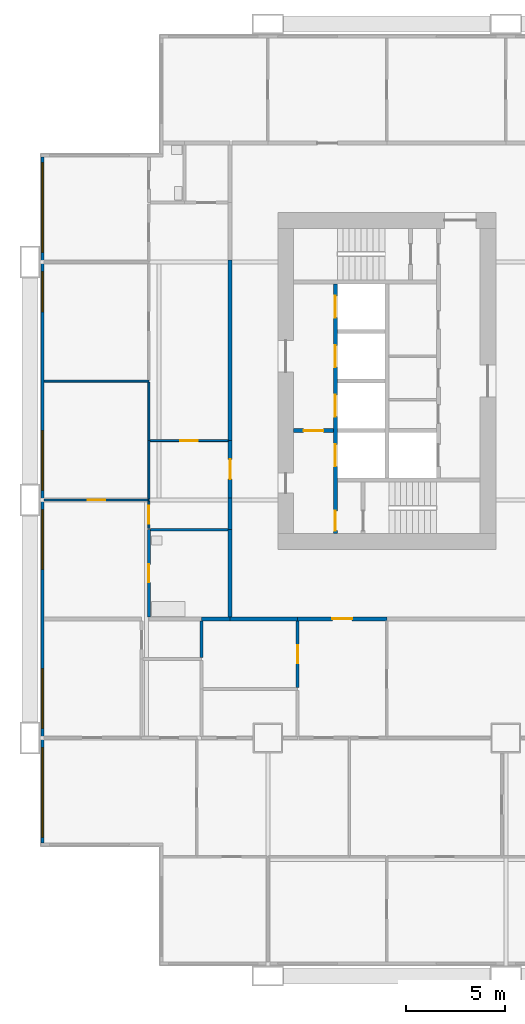
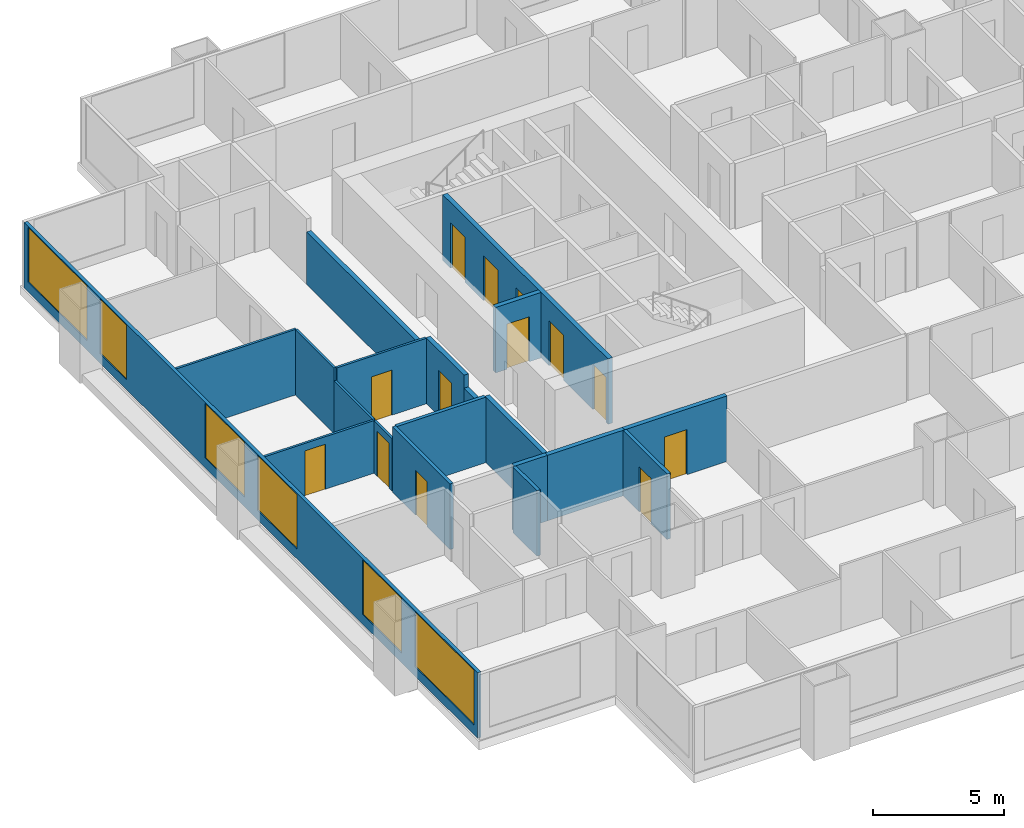
# One storey, part 3 of 14: 20 walls, 13 doors, 6 windows, 19 openings.
"""IFC4 building model written with IfcOpenShell, lengths in metres."""

from ifc_helpers import new_model, si_unit, direction, frame, frame_2d, origin, place, context, subcontext, project, spatial, rectangle, extrude, material, layer, layer_set, type_object, element, fill, save


model = new_model("IFC4")

# Units and contexts
model_context = context("Model", 3, precision=1e-05, world=origin(), true_north=direction((0.0, 1.0)))
body_context = subcontext(model_context, "Body", "Model", "MODEL_VIEW")
ifc_project = project(units=[si_unit("LENGTHUNIT", "METRE"), si_unit("AREAUNIT", "SQUARE_METRE"), si_unit("VOLUMEUNIT", "CUBIC_METRE"), si_unit("PLANEANGLEUNIT", "RADIAN"), si_unit("MASSUNIT", "GRAM", prefix="KILO")], contexts=[model_context])

# Site, building, storey
site_placement = place(None, origin())
site = spatial("IfcSite", under=ifc_project, at=site_placement, CompositionType="ELEMENT")
building_placement = place(site_placement, origin())
building = spatial("IfcBuilding", under=site, at=building_placement, Name="Kitamizu Gate Tower and Museum", CompositionType="ELEMENT")
storey_placement = place(building_placement, frame((0.0, 0.0, 61.050048828125)))
storey = spatial("IfcBuildingStorey", under=building, at=storey_placement, Name="L14", CompositionType="ELEMENT", Elevation=61.050048828125)

# Wall, opening, door
ifc_material_1 = material(Name="Gypsum board on galvanised stud")
ifc_layer_1 = layer(ifc_material_1, 0.10009765625)
ifc_layer_set_1 = layer_set([ifc_layer_1], Name="Gypsum board on galvanised stud")
wall_type_1 = type_object("IfcWallType", Name="Partition 100 NOT RATED", PredefinedType="PARTITIONING", material=ifc_layer_set_1)
wall_1_placement = place(storey_placement, frame((6.0, 24.0, 0.0), z_axis=(0.0, 0.0, 1.0), x_axis=(-1.0, 0.0, 0.0)))
wall_1 = element("IfcWall", 1, at=wall_1_placement, inside=storey, type_object=wall_type_1, Name="Partition L14-128", PredefinedType="PARTITIONING", context=body_context, shape_type="SweptSolid", body=[
    extrude(rectangle(XDim=5.280029296875, YDim=0.10009765625, at=frame_2d((2.64013671875, 0.0))), origin(), (0.0, 0.0, 1.0), 2.449951171875),
])
opening_1_placement = place(wall_1_placement, frame((2.18994140625, 0.0, 0.0)))
opening_1 = element("IfcOpeningElement", 2, at=opening_1_placement, cuts=wall_1, Name="Opening L14-052", PredefinedType="OPENING", context=body_context, shape_type="SweptSolid", body=[
    extrude(rectangle(XDim=0.89990234375, YDim=2.10009765625, at=frame_2d((0.449951171875, 1.050048828125))), frame((0.0, 0.06005859375, 0.0), z_axis=(0.0, -1.0, 0.0), x_axis=(1.0, 0.0, 0.0)), (0.0, 0.0, 1.0), 0.1201171875),
])
ifc_material_2 = material(Name="Timber door set", Category="wood")
door_type_1 = type_object("IfcDoorType", Name="Room door 900", OperationType="NOTDEFINED", PredefinedType="DOOR", material=ifc_material_2)
door_1_placement = place(opening_1_placement, origin())
door_1 = element("IfcDoor", 3, at=door_1_placement, inside=storey, type_object=door_type_1, Name="Door L14-052", OperationType="SINGLE_SWING_RIGHT", OverallHeight=2.10009765625, OverallWidth=0.89990234375, PredefinedType="DOOR", context=body_context, shape_type="SweptSolid", body=[
    extrude(rectangle(XDim=0.89990234375, YDim=2.10009765625, at=frame_2d((0.449951171875, 1.050048828125))), frame((0.0, 0.02490234375, 0.0), z_axis=(0.0, -1.0, 0.0), x_axis=(1.0, 0.0, 0.0)), (0.0, 0.0, 1.0), 0.050048828125),
])
fill(opening_1, door_1)

wall_2_placement = place(storey_placement, frame((6.0, 22.574951171875, 0.0), z_axis=(0.0, 0.0, 1.0), x_axis=(0.0, 1.0, 0.0)))
wall_2 = element("IfcWall", 4, at=wall_2_placement, inside=storey, type_object=wall_type_1, Name="Partition L14-130", PredefinedType="PARTITIONING", context=body_context, shape_type="SweptSolid", body=[
    extrude(rectangle(XDim=1.375, YDim=0.10009765625, at=frame_2d((0.6875, 0.0))), origin(), (0.0, 0.0, 1.0), 2.449951171875),
])
opening_2_placement = place(wall_2_placement, frame((0.237548828125, 0.0, 0.0)))
opening_2 = element("IfcOpeningElement", 5, at=opening_2_placement, cuts=wall_2, Name="Opening L14-048", PredefinedType="OPENING", context=body_context, shape_type="SweptSolid", body=[
    extrude(rectangle(XDim=0.89990234375, YDim=2.10009765625, at=frame_2d((0.449951171875, 1.050048828125))), frame((0.0, 0.06005859375, 0.0), z_axis=(0.0, -1.0, 0.0), x_axis=(1.0, 0.0, 0.0)), (0.0, 0.0, 1.0), 0.1201171875),
])
door_2_placement = place(opening_2_placement, origin())
door_2 = element("IfcDoor", 6, at=door_2_placement, inside=storey, type_object=door_type_1, Name="Door L14-048", OperationType="SINGLE_SWING_LEFT", OverallHeight=2.10009765625, OverallWidth=0.89990234375, PredefinedType="DOOR", context=body_context, shape_type="SweptSolid", body=[
    extrude(rectangle(XDim=0.89990234375, YDim=2.10009765625, at=frame_2d((0.449951171875, 1.050048828125))), frame((0.0, 0.02490234375, 0.0), z_axis=(0.0, -1.0, 0.0), x_axis=(1.0, 0.0, 0.0)), (0.0, 0.0, 1.0), 0.050048828125),
])
fill(opening_2, door_2)

# Walls
wall_3_placement = place(storey_placement, frame((6.0, 30.0, 0.0), z_axis=(0.0, 0.0, 1.0), x_axis=(-1.0, 0.0, 0.0)))
element("IfcWall", 7, at=wall_3_placement, inside=storey, type_object=wall_type_1, Name="Partition L14-131", PredefinedType="PARTITIONING", context=body_context, shape_type="SweptSolid", body=[
    extrude(rectangle(XDim=5.280029296875, YDim=0.10009765625, at=frame_2d((2.64013671875, 0.0))), origin(), (0.0, 0.0, 1.0), 3.050048828125),
])
wall_4_placement = place(storey_placement, frame((6.0, 24.050048828125, 0.0), z_axis=(0.0, 0.0, 1.0), x_axis=(0.0, 1.0, 0.0)))
element("IfcWall", 8, at=wall_4_placement, inside=storey, type_object=wall_type_1, Name="Partition L14-132", PredefinedType="PARTITIONING", context=body_context, shape_type="SweptSolid", body=[
    extrude(rectangle(XDim=2.949951171875, YDim=0.10009765625, at=frame_2d((1.47509765625, 0.0))), origin(), (0.0, 0.0, 1.0), 2.449951171875),
])
wall_5_placement = place(storey_placement, frame((6.0, 27.0, 0.0), z_axis=(0.0, 0.0, 1.0), x_axis=(0.0, 1.0, 0.0)))
element("IfcWall", 9, at=wall_5_placement, inside=storey, type_object=wall_type_1, Name="Partition L14-133", PredefinedType="PARTITIONING", context=body_context, shape_type="SweptSolid", body=[
    extrude(rectangle(XDim=2.949951171875, YDim=0.10009765625, at=frame_2d((1.47509765625, 0.0))), origin(), (0.0, 0.0, 1.0), 3.050048828125),
])

# Wall, opening, door
wall_6_placement = place(storey_placement, frame((10.0, 27.0, 0.0), z_axis=(0.0, 0.0, 1.0), x_axis=(-1.0, 0.0, 0.0)))
wall_6 = element("IfcWall", 10, at=wall_6_placement, inside=storey, type_object=wall_type_1, Name="Partition L14-140", PredefinedType="PARTITIONING", context=body_context, shape_type="SweptSolid", body=[
    extrude(rectangle(XDim=3.949951171875, YDim=0.10009765625, at=frame_2d((1.97509765625, 0.0))), origin(), (0.0, 0.0, 1.0), 3.050048828125),
])
opening_3_placement = place(wall_6_placement, frame((1.52490234375, 0.0, 0.0)))
opening_3 = element("IfcOpeningElement", 11, at=opening_3_placement, cuts=wall_6, Name="Opening L14-049", PredefinedType="OPENING", context=body_context, shape_type="SweptSolid", body=[
    extrude(rectangle(XDim=0.89990234375, YDim=2.10009765625, at=frame_2d((0.449951171875, 1.050048828125))), frame((0.0, 0.06005859375, 0.0), z_axis=(0.0, -1.0, 0.0), x_axis=(1.0, 0.0, 0.0)), (0.0, 0.0, 1.0), 0.1201171875),
])
door_3_placement = place(opening_3_placement, origin())
door_3 = element("IfcDoor", 12, at=door_3_placement, inside=storey, type_object=door_type_1, Name="Door L14-049", OperationType="SINGLE_SWING_RIGHT", OverallHeight=2.10009765625, OverallWidth=0.89990234375, PredefinedType="DOOR", context=body_context, shape_type="SweptSolid", body=[
    extrude(rectangle(XDim=0.89990234375, YDim=2.10009765625, at=frame_2d((0.449951171875, 1.050048828125))), frame((0.0, 0.02490234375, 0.0), z_axis=(0.0, -1.0, 0.0), x_axis=(1.0, 0.0, 0.0)), (0.0, 0.0, 1.0), 0.050048828125),
])
fill(opening_3, door_3)

# Wall
ifc_material_3 = material(Name="Gypsum board on galvanised stud")
ifc_layer_2 = layer(ifc_material_3, 0.14990234375)
ifc_layer_set_2 = layer_set([ifc_layer_2], Name="Gypsum board on galvanised stud")
wall_type_2 = type_object("IfcWallType", Name="Partition 150", PredefinedType="PARTITIONING", material=ifc_layer_set_2)
wall_7_placement = place(storey_placement, frame((8.64404296875, 16.06005859375, 0.0), z_axis=(0.0, 0.0, 1.0), x_axis=(0.0, 1.0, 0.0)))
element("IfcWall", 13, at=wall_7_placement, inside=storey, type_object=wall_type_2, Name="Partition L14-037", PredefinedType="PARTITIONING", context=body_context, shape_type="SweptSolid", body=[
    extrude(rectangle(XDim=1.83984375, YDim=0.14990234375, at=frame_2d((0.919921875, 0.0))), origin(), (0.0, 0.0, 1.0), 3.050048828125),
])

# Wall, opening, door
wall_8_placement = place(storey_placement, frame((13.5, 14.5458984375, 0.0), z_axis=(0.0, 0.0, 1.0), x_axis=(0.0, 1.0, 0.0)))
wall_8 = element("IfcWall", 14, at=wall_8_placement, inside=storey, type_object=wall_type_2, Name="Partition L14-041", PredefinedType="PARTITIONING", context=body_context, shape_type="SweptSolid", body=[
    extrude(rectangle(XDim=3.35400390625, YDim=0.14990234375, at=frame_2d((1.677001953125, 0.0))), origin(), (0.0, 0.0, 1.0), 3.050048828125),
])
opening_4_placement = place(wall_8_placement, frame((1.22705078125, 0.0, 0.0)))
opening_4 = element("IfcOpeningElement", 15, at=opening_4_placement, cuts=wall_8, Name="Opening L14-015", PredefinedType="OPENING", context=body_context, shape_type="SweptSolid", body=[
    extrude(rectangle(XDim=0.89990234375, YDim=2.10009765625, at=frame_2d((0.449951171875, 1.050048828125))), frame((0.0, 0.0849609375, 0.0), z_axis=(0.0, -1.0, 0.0), x_axis=(1.0, 0.0, 0.0)), (0.0, 0.0, 1.0), 0.169921875),
])
ifc_material_4 = material(Name="Timber door set", Category="wood")
door_type_2 = type_object("IfcDoorType", Name="Bathroom door 900", OperationType="NOTDEFINED", PredefinedType="DOOR", material=ifc_material_4)
door_4_placement = place(opening_4_placement, origin())
door_4 = element("IfcDoor", 16, at=door_4_placement, inside=storey, type_object=door_type_2, Name="Bathroom door L14-015", OperationType="SINGLE_SWING_LEFT", OverallHeight=2.10009765625, OverallWidth=0.89990234375, PredefinedType="DOOR", context=body_context, shape_type="SweptSolid", body=[
    extrude(rectangle(XDim=0.89990234375, YDim=2.10009765625, at=frame_2d((0.449951171875, 1.050048828125))), frame((0.0, 0.02490234375, 0.0), z_axis=(0.0, -1.0, 0.0), x_axis=(1.0, 0.0, 0.0)), (0.0, 0.0, 1.0), 0.050048828125),
])
fill(opening_4, door_4)

wall_9_placement = place(storey_placement, frame((6.0, 18.10009765625, 0.0), z_axis=(0.0, 0.0, 1.0), x_axis=(0.0, 1.0, 0.0)))
wall_9 = element("IfcWall", 17, at=wall_9_placement, inside=storey, type_object=wall_type_2, Name="Partition L14-129", PredefinedType="PARTITIONING", context=body_context, shape_type="SweptSolid", body=[
    extrude(rectangle(XDim=4.39990234375, YDim=0.14990234375, at=frame_2d((2.199951171875, 0.0))), origin(), (0.0, 0.0, 1.0), 3.050048828125),
])
opening_5_placement = place(wall_9_placement, frame((1.75, 0.0, 0.0)))
opening_5 = element("IfcOpeningElement", 18, at=opening_5_placement, cuts=wall_9, Name="Opening L14-053", PredefinedType="OPENING", context=body_context, shape_type="SweptSolid", body=[
    extrude(rectangle(XDim=0.89990234375, YDim=2.10009765625, at=frame_2d((0.449951171875, 1.050048828125))), frame((0.0, 0.0849609375, 0.0), z_axis=(0.0, -1.0, 0.0), x_axis=(1.0, 0.0, 0.0)), (0.0, 0.0, 1.0), 0.169921875),
])
door_5_placement = place(opening_5_placement, frame((0.89990234375, 0.0, 0.0), x_axis=(-1.0, 0.0, 0.0)))
door_5 = element("IfcDoor", 19, at=door_5_placement, inside=storey, type_object=door_type_2, Name="Bathroom door L14-053", OperationType="SINGLE_SWING_RIGHT", OverallHeight=2.10009765625, OverallWidth=0.89990234375, PredefinedType="DOOR", context=body_context, shape_type="SweptSolid", body=[
    extrude(rectangle(XDim=0.89990234375, YDim=2.10009765625, at=frame_2d((0.449951171875, 1.050048828125))), frame((0.0, 0.02490234375, 0.0), z_axis=(0.0, -1.0, 0.0), x_axis=(1.0, 0.0, 0.0)), (0.0, 0.0, 1.0), 0.050048828125),
])
fill(opening_5, door_5)

# Walls
wall_10_placement = place(storey_placement, frame((10.0, 22.5, 0.0), z_axis=(0.0, 0.0, 1.0), x_axis=(-1.0, 0.0, 0.0)))
element("IfcWall", 20, at=wall_10_placement, inside=storey, type_object=wall_type_2, Name="Partition L14-138", PredefinedType="PARTITIONING", context=body_context, shape_type="SweptSolid", body=[
    extrude(rectangle(XDim=3.925048828125, YDim=0.14990234375, at=frame_2d((1.96240234375, 0.0))), origin(), (0.0, 0.0, 1.0), 3.050048828125),
])
ifc_material_5 = material(Name="Gypsum board on galvanised stud")
ifc_layer_3 = layer(ifc_material_5, 0.199951171875)
ifc_layer_set_3 = layer_set([ifc_layer_3], Name="Gypsum board on galvanised stud")
wall_type_3 = type_object("IfcWallType", Name="Partition 200", PredefinedType="PARTITIONING", material=ifc_layer_set_3)
wall_11_placement = place(storey_placement, frame((10.10009765625, 18.0, 0.0), z_axis=(0.0, 0.0, 1.0), x_axis=(-1.0, 0.0, 0.0)))
element("IfcWall", 21, at=wall_11_placement, inside=storey, type_object=wall_type_3, Name="Partition L14-042", PredefinedType="PARTITIONING", context=body_context, shape_type="SweptSolid", body=[
    extrude(rectangle(XDim=1.4560546875, YDim=0.199951171875, at=frame_2d((0.72802734375, 0.0))), origin(), (0.0, 0.0, 1.0), 3.050048828125),
])
wall_12_placement = place(storey_placement, frame((13.5, 18.0, 0.0), z_axis=(0.0, 0.0, 1.0), x_axis=(-1.0, 0.0, 0.0)))
element("IfcWall", 22, at=wall_12_placement, inside=storey, type_object=wall_type_3, Name="Partition L14-043", PredefinedType="PARTITIONING", context=body_context, shape_type="SweptSolid", body=[
    extrude(rectangle(XDim=3.39990234375, YDim=0.199951171875, at=frame_2d((1.699951171875, 0.0))), origin(), (0.0, 0.0, 1.0), 3.050048828125),
])

# Wall, opening, door
wall_13_placement = place(storey_placement, frame((18.0, 18.0, 0.0), z_axis=(0.0, 0.0, 1.0), x_axis=(-1.0, 0.0, 0.0)))
wall_13 = element("IfcWall", 23, at=wall_13_placement, inside=storey, type_object=wall_type_3, Name="Partition L14-045", PredefinedType="PARTITIONING", context=body_context, shape_type="SweptSolid", body=[
    extrude(rectangle(XDim=4.5, YDim=0.199951171875, at=frame_2d((2.25, 0.0))), origin(), (0.0, 0.0, 1.0), 3.050048828125),
])
opening_6_placement = place(wall_13_placement, frame((1.75, 0.0, 0.0)))
opening_6 = element("IfcOpeningElement", 24, at=opening_6_placement, cuts=wall_13, Name="Opening L14-001", PredefinedType="OPENING", context=body_context, shape_type="SweptSolid", body=[
    extrude(rectangle(XDim=1.0, YDim=2.10009765625, at=frame_2d((0.5, 1.050048828125))), frame((0.0, 0.10986328125, 0.0), z_axis=(0.0, -1.0, 0.0), x_axis=(1.0, 0.0, 0.0)), (0.0, 0.0, 1.0), 0.219970703125),
])
ifc_material_6 = material(Name="Timber door set", Category="wood")
door_type_3 = type_object("IfcDoorType", Name="Flat entrance door 1000", OperationType="NOTDEFINED", PredefinedType="DOOR", material=ifc_material_6)
door_6_placement = place(opening_6_placement, origin())
door_6 = element("IfcDoor", 25, at=door_6_placement, inside=storey, type_object=door_type_3, Name="Flat entrance door L14-001", OperationType="SINGLE_SWING_RIGHT", OverallHeight=2.10009765625, OverallWidth=1.0, PredefinedType="DOOR", context=body_context, shape_type="SweptSolid", body=[
    extrude(rectangle(XDim=1.0, YDim=2.10009765625, at=frame_2d((0.5, 1.050048828125))), frame((0.0, 0.02490234375, 0.0), z_axis=(0.0, -1.0, 0.0), x_axis=(1.0, 0.0, 0.0)), (0.0, 0.0, 1.0), 0.050048828125),
])
fill(opening_6, door_6)

# Walls
wall_14_placement = place(storey_placement, frame((10.10009765625, 18.10009765625, 0.0), z_axis=(0.0, 0.0, 1.0), x_axis=(0.0, 1.0, 0.0)))
element("IfcWall", 26, at=wall_14_placement, inside=storey, type_object=wall_type_3, Name="Partition L14-139", PredefinedType="PARTITIONING", context=body_context, shape_type="SweptSolid", body=[
    extrude(rectangle(XDim=4.39990234375, YDim=0.199951171875, at=frame_2d((2.199951171875, 0.0))), origin(), (0.0, 0.0, 1.0), 3.050048828125),
])
wall_15_placement = place(storey_placement, frame((10.10009765625, 22.5, 0.0), z_axis=(0.0, 0.0, 1.0), x_axis=(0.0, 1.0, 0.0)))
element("IfcWall", 27, at=wall_15_placement, inside=storey, type_object=wall_type_3, Name="Partition L14-141", PredefinedType="PARTITIONING", context=body_context, shape_type="SweptSolid", body=[
    extrude(rectangle(XDim=1.60009765625, YDim=0.199951171875, at=frame_2d((0.800048828125, 0.0))), origin(), (0.0, 0.0, 1.0), 2.449951171875),
])

# Wall, opening, door
wall_16_placement = place(storey_placement, frame((10.10009765625, 24.10009765625, 0.0), z_axis=(0.0, 0.0, 1.0), x_axis=(0.0, 1.0, 0.0)))
wall_16 = element("IfcWall", 28, at=wall_16_placement, inside=storey, type_object=wall_type_3, Name="Partition L14-142", PredefinedType="PARTITIONING", context=body_context, shape_type="SweptSolid", body=[
    extrude(rectangle(XDim=2.89990234375, YDim=0.199951171875, at=frame_2d((1.449951171875, 0.0))), origin(), (0.0, 0.0, 1.0), 3.050048828125),
])
opening_7_placement = place(wall_16_placement, frame((0.949951171875, 0.0, 0.0)))
opening_7 = element("IfcOpeningElement", 29, at=opening_7_placement, cuts=wall_16, Name="Opening L14-047", PredefinedType="OPENING", context=body_context, shape_type="SweptSolid", body=[
    extrude(rectangle(XDim=1.0, YDim=2.10009765625, at=frame_2d((0.5, 1.050048828125))), frame((0.0, 0.10986328125, 0.0), z_axis=(0.0, -1.0, 0.0), x_axis=(1.0, 0.0, 0.0)), (0.0, 0.0, 1.0), 0.219970703125),
])
door_7_placement = place(opening_7_placement, origin())
door_7 = element("IfcDoor", 30, at=door_7_placement, inside=storey, type_object=door_type_3, Name="Flat entrance door L14-047", OperationType="SINGLE_SWING_LEFT", OverallHeight=2.10009765625, OverallWidth=1.0, PredefinedType="DOOR", context=body_context, shape_type="SweptSolid", body=[
    extrude(rectangle(XDim=1.0, YDim=2.10009765625, at=frame_2d((0.5, 1.050048828125))), frame((0.0, 0.02490234375, 0.0), z_axis=(0.0, -1.0, 0.0), x_axis=(1.0, 0.0, 0.0)), (0.0, 0.0, 1.0), 0.050048828125),
])
fill(opening_7, door_7)

# Wall
wall_17_placement = place(storey_placement, frame((10.10009765625, 27.0, 0.0), z_axis=(0.0, 0.0, 1.0), x_axis=(0.0, 1.0, 0.0)))
element("IfcWall", 31, at=wall_17_placement, inside=storey, type_object=wall_type_3, Name="Partition L14-145", PredefinedType="PARTITIONING", context=body_context, shape_type="SweptSolid", body=[
    extrude(rectangle(XDim=9.10009765625, YDim=0.199951171875, at=frame_2d((4.550048828125, 0.0))), origin(), (0.0, 0.0, 1.0), 2.449951171875),
])

# Wall, openings, doors
ifc_material_7 = material(Name="Concrete Fc42", Category="concrete")
ifc_layer_4 = layer(ifc_material_7, 0.199951171875)
ifc_layer_set_4 = layer_set([ifc_layer_4], Name="Concrete Fc42")
wall_type_4 = type_object("IfcWallType", Name="Shaft wall 200", PredefinedType="SOLIDWALL", material=ifc_layer_set_4)
wall_18_placement = place(storey_placement, frame((15.39990234375, 22.300048828125, 0.0), z_axis=(0.0, 0.0, 1.0), x_axis=(0.0, 1.0, 0.0)))
wall_18 = element("IfcWall", 32, at=wall_18_placement, inside=storey, type_object=wall_type_4, Name="Shaft wall WWEST", PredefinedType="SOLIDWALL", context=body_context, shape_type="SweptSolid", body=[
    extrude(rectangle(XDim=12.599853515625, YDim=0.199951171875, at=frame_2d((6.2998046875, 0.0))), origin(), (0.0, 0.0, 1.0), 3.050048828125),
])
opening_8_placement = place(wall_18_placement, frame((3.39990234375, 0.0, 0.0)))
opening_8 = element("IfcOpeningElement", 33, at=opening_8_placement, cuts=wall_18, Name="Opening LD", PredefinedType="OPENING", context=body_context, shape_type="SweptSolid", body=[
    extrude(rectangle(XDim=1.10009765625, YDim=2.10009765625, at=frame_2d((0.550048828125, 1.050048828125))), frame((0.0, 0.10986328125, 0.0), z_axis=(0.0, -1.0, 0.0), x_axis=(1.0, 0.0, 0.0)), (0.0, 0.0, 1.0), 0.219970703125),
])
opening_9_placement = place(wall_18_placement, frame((5.89990234375, 0.0, 0.0)))
opening_9 = element("IfcOpeningElement", 34, at=opening_9_placement, cuts=wall_18, Name="Opening LD", PredefinedType="OPENING", context=body_context, shape_type="SweptSolid", body=[
    extrude(rectangle(XDim=1.10009765625, YDim=2.10009765625, at=frame_2d((0.550048828125, 1.050048828125))), frame((0.0, 0.10986328125, 0.0), z_axis=(0.0, -1.0, 0.0), x_axis=(1.0, 0.0, 0.0)), (0.0, 0.0, 1.0), 0.219970703125),
])
opening_10_placement = place(wall_18_placement, frame((8.39990234375, 0.0, 0.0)))
opening_10 = element("IfcOpeningElement", 35, at=opening_10_placement, cuts=wall_18, Name="Opening LD", PredefinedType="OPENING", context=body_context, shape_type="SweptSolid", body=[
    extrude(rectangle(XDim=1.10009765625, YDim=2.10009765625, at=frame_2d((0.550048828125, 1.050048828125))), frame((0.0, 0.10986328125, 0.0), z_axis=(0.0, -1.0, 0.0), x_axis=(1.0, 0.0, 0.0)), (0.0, 0.0, 1.0), 0.219970703125),
])
opening_11_placement = place(wall_18_placement, frame((10.89990234375, 0.0, 0.0)))
opening_11 = element("IfcOpeningElement", 36, at=opening_11_placement, cuts=wall_18, Name="Opening LD", PredefinedType="OPENING", context=body_context, shape_type="SweptSolid", body=[
    extrude(rectangle(XDim=1.10009765625, YDim=2.10009765625, at=frame_2d((0.550048828125, 1.050048828125))), frame((0.0, 0.10986328125, 0.0), z_axis=(0.0, -1.0, 0.0), x_axis=(1.0, 0.0, 0.0)), (0.0, 0.0, 1.0), 0.219970703125),
])
opening_12_placement = place(wall_18_placement, frame((0.14990234375, 0.0, 0.0)))
opening_12 = element("IfcOpeningElement", 37, at=opening_12_placement, cuts=wall_18, Name="Opening L14-086", PredefinedType="OPENING", context=body_context, shape_type="SweptSolid", body=[
    extrude(rectangle(XDim=1.0, YDim=2.10009765625, at=frame_2d((0.5, 1.050048828125))), frame((0.0, 0.10986328125, 0.0), z_axis=(0.0, -1.0, 0.0), x_axis=(1.0, 0.0, 0.0)), (0.0, 0.0, 1.0), 0.219970703125),
])
ifc_material_8 = material(Name="Hollow metal door set")
door_type_4 = type_object("IfcDoorType", Name="Fire door 1000", OperationType="NOTDEFINED", PredefinedType="DOOR", material=ifc_material_8)
door_8_placement = place(opening_12_placement, frame((1.0, 0.0, 0.0), x_axis=(-1.0, 0.0, 0.0)))
door_8 = element("IfcDoor", 38, at=door_8_placement, inside=storey, type_object=door_type_4, Name="Stair lobby door L14-086", OperationType="SINGLE_SWING_LEFT", OverallHeight=2.10009765625, OverallWidth=1.0, PredefinedType="DOOR", context=body_context, shape_type="SweptSolid", body=[
    extrude(rectangle(XDim=1.0, YDim=2.10009765625, at=frame_2d((0.5, 1.050048828125))), frame((0.0, 0.02490234375, 0.0), z_axis=(0.0, -1.0, 0.0), x_axis=(1.0, 0.0, 0.0)), (0.0, 0.0, 1.0), 0.050048828125),
])
fill(opening_12, door_8)
ifc_material_9 = material(Name="Hollow metal door set")
door_type_5 = type_object("IfcDoorType", Name="Landing door 1100", OperationType="SLIDING_TO_LEFT", PredefinedType="DOOR", material=ifc_material_9)
door_9_placement = place(opening_8_placement, origin())
door_9 = element("IfcDoor", 39, at=door_9_placement, inside=storey, type_object=door_type_5, Name="Landing door WFF1", OperationType="SLIDING_TO_LEFT", OverallHeight=2.10009765625, OverallWidth=1.10009765625, PredefinedType="DOOR", context=body_context, shape_type="SweptSolid", body=[
    extrude(rectangle(XDim=1.10009765625, YDim=2.10009765625, at=frame_2d((0.550048828125, 1.050048828125))), frame((0.0, 0.02490234375, 0.0), z_axis=(0.0, -1.0, 0.0), x_axis=(1.0, 0.0, 0.0)), (0.0, 0.0, 1.0), 0.050048828125),
])
fill(opening_8, door_9)
door_10_placement = place(opening_9_placement, origin())
door_10 = element("IfcDoor", 40, at=door_10_placement, inside=storey, type_object=door_type_5, Name="Landing door WL1", OperationType="SLIDING_TO_LEFT", OverallHeight=2.10009765625, OverallWidth=1.10009765625, PredefinedType="DOOR", context=body_context, shape_type="SweptSolid", body=[
    extrude(rectangle(XDim=1.10009765625, YDim=2.10009765625, at=frame_2d((0.550048828125, 1.050048828125))), frame((0.0, 0.02490234375, 0.0), z_axis=(0.0, -1.0, 0.0), x_axis=(1.0, 0.0, 0.0)), (0.0, 0.0, 1.0), 0.050048828125),
])
fill(opening_9, door_10)
door_11_placement = place(opening_10_placement, origin())
door_11 = element("IfcDoor", 41, at=door_11_placement, inside=storey, type_object=door_type_5, Name="Landing door WL2", OperationType="SLIDING_TO_LEFT", OverallHeight=2.10009765625, OverallWidth=1.10009765625, PredefinedType="DOOR", context=body_context, shape_type="SweptSolid", body=[
    extrude(rectangle(XDim=1.10009765625, YDim=2.10009765625, at=frame_2d((0.550048828125, 1.050048828125))), frame((0.0, 0.02490234375, 0.0), z_axis=(0.0, -1.0, 0.0), x_axis=(1.0, 0.0, 0.0)), (0.0, 0.0, 1.0), 0.050048828125),
])
fill(opening_10, door_11)
door_12_placement = place(opening_11_placement, origin())
door_12 = element("IfcDoor", 42, at=door_12_placement, inside=storey, type_object=door_type_5, Name="Landing door WL3", OperationType="SLIDING_TO_LEFT", OverallHeight=2.10009765625, OverallWidth=1.10009765625, PredefinedType="DOOR", context=body_context, shape_type="SweptSolid", body=[
    extrude(rectangle(XDim=1.10009765625, YDim=2.10009765625, at=frame_2d((0.550048828125, 1.050048828125))), frame((0.0, 0.02490234375, 0.0), z_axis=(0.0, -1.0, 0.0), x_axis=(1.0, 0.0, 0.0)), (0.0, 0.0, 1.0), 0.050048828125),
])
fill(opening_11, door_12)

# Wall, opening, door
wall_19_placement = place(storey_placement, frame((13.300048828125, 27.5, 0.0), z_axis=(0.0, 0.0, 1.0), x_axis=(1.0, 0.0, 0.0)))
wall_19 = element("IfcWall", 43, at=wall_19_placement, inside=storey, type_object=wall_type_4, Name="Shaft wall WFFN", PredefinedType="SOLIDWALL", context=body_context, shape_type="SweptSolid", body=[
    extrude(rectangle(XDim=2.0, YDim=0.199951171875, at=frame_2d((1.0, 0.0))), origin(), (0.0, 0.0, 1.0), 3.050048828125),
])
opening_13_placement = place(wall_19_placement, frame((0.5, 0.0, 0.0)))
opening_13 = element("IfcOpeningElement", 44, at=opening_13_placement, cuts=wall_19, Name="Opening L14-089", PredefinedType="OPENING", context=body_context, shape_type="SweptSolid", body=[
    extrude(rectangle(XDim=1.0, YDim=2.10009765625, at=frame_2d((0.5, 1.050048828125))), frame((0.0, 0.10986328125, 0.0), z_axis=(0.0, -1.0, 0.0), x_axis=(1.0, 0.0, 0.0)), (0.0, 0.0, 1.0), 0.219970703125),
])
door_13_placement = place(opening_13_placement, frame((1.0, 0.0, 0.0), x_axis=(-1.0, 0.0, 0.0)))
door_13 = element("IfcDoor", 45, at=door_13_placement, inside=storey, type_object=door_type_4, Name="Fire-fighting lobby door L14-089", OperationType="SINGLE_SWING_LEFT", OverallHeight=2.10009765625, OverallWidth=1.0, PredefinedType="DOOR", context=body_context, shape_type="SweptSolid", body=[
    extrude(rectangle(XDim=1.0, YDim=2.10009765625, at=frame_2d((0.5, 1.050048828125))), frame((0.0, 0.02490234375, 0.0), z_axis=(0.0, -1.0, 0.0), x_axis=(1.0, 0.0, 0.0)), (0.0, 0.0, 1.0), 0.050048828125),
])
fill(opening_13, door_13)

# Wall, openings, windows
ifc_material_10 = material(Name="Bronze anodised aluminium frame with insulated spandrel and tinted glass", Category="aluminium")
ifc_layer_5 = layer(ifc_material_10, 0.14990234375)
ifc_layer_set_5 = layer_set([ifc_layer_5], Name="Bronze anodised aluminium frame with insulated spandrel and tinted glass")
wall_type_5 = type_object("IfcWallType", Name="WINDOW WALL 150 BRONZE FRAME EI 30", PredefinedType="ELEMENTEDWALL", material=ifc_layer_set_5)
wall_20_placement = place(storey_placement, frame((0.635009765625, 6.7099609375, 0.0), z_axis=(0.0, 0.0, 1.0), x_axis=(0.0, 1.0, 0.0)))
wall_20 = element("IfcWall", 46, at=wall_20_placement, inside=storey, type_object=wall_type_5, Name="Window wall west L14", PredefinedType="ELEMENTEDWALL", context=body_context, shape_type="SweptSolid", body=[
    extrude(rectangle(XDim=34.580078125, YDim=0.14990234375, at=frame_2d((17.2900390625, 0.0))), origin(), (0.0, 0.0, 1.0), 3.050048828125),
])
opening_14_placement = place(wall_20_placement, frame((0.2900390625, 0.0, 0.449951171875)))
opening_14 = element("IfcOpeningElement", 47, at=opening_14_placement, cuts=wall_20, Name="Opening W15", PredefinedType="OPENING", context=body_context, shape_type="SweptSolid", body=[
    extrude(rectangle(XDim=4.5, YDim=2.550048828125, at=frame_2d((2.25, 1.27490234375))), frame((0.0, 0.0849609375, 0.0), z_axis=(0.0, -1.0, 0.0), x_axis=(1.0, 0.0, 0.0)), (0.0, 0.0, 1.0), 0.169921875),
])
opening_15_placement = place(wall_20_placement, frame((5.7900390625, 0.0, 0.449951171875)))
opening_15 = element("IfcOpeningElement", 48, at=opening_15_placement, cuts=wall_20, Name="Opening W33", PredefinedType="OPENING", context=body_context, shape_type="SweptSolid", body=[
    extrude(rectangle(XDim=3.0, YDim=2.550048828125, at=frame_2d((1.5, 1.27490234375))), frame((0.0, 0.0849609375, 0.0), z_axis=(0.0, -1.0, 0.0), x_axis=(1.0, 0.0, 0.0)), (0.0, 0.0, 1.0), 0.169921875),
])
opening_16_placement = place(wall_20_placement, frame((13.7900390625, 0.0, 0.449951171875)))
opening_16 = element("IfcOpeningElement", 49, at=opening_16_placement, cuts=wall_20, Name="Opening W33", PredefinedType="OPENING", context=body_context, shape_type="SweptSolid", body=[
    extrude(rectangle(XDim=3.0, YDim=2.550048828125, at=frame_2d((1.5, 1.27490234375))), frame((0.0, 0.0849609375, 0.0), z_axis=(0.0, -1.0, 0.0), x_axis=(1.0, 0.0, 0.0)), (0.0, 0.0, 1.0), 0.169921875),
])
opening_17_placement = place(wall_20_placement, frame((17.7900390625, 0.0, 0.449951171875)))
opening_17 = element("IfcOpeningElement", 50, at=opening_17_placement, cuts=wall_20, Name="Opening W33", PredefinedType="OPENING", context=body_context, shape_type="SweptSolid", body=[
    extrude(rectangle(XDim=3.0, YDim=2.550048828125, at=frame_2d((1.5, 1.27490234375))), frame((0.0, 0.0849609375, 0.0), z_axis=(0.0, -1.0, 0.0), x_axis=(1.0, 0.0, 0.0)), (0.0, 0.0, 1.0), 0.169921875),
])
opening_18_placement = place(wall_20_placement, frame((26.7900390625, 0.0, 0.449951171875)))
opening_18 = element("IfcOpeningElement", 51, at=opening_18_placement, cuts=wall_20, Name="Opening W2", PredefinedType="OPENING", context=body_context, shape_type="SweptSolid", body=[
    extrude(rectangle(XDim=2.0, YDim=2.550048828125, at=frame_2d((1.0, 1.27490234375))), frame((0.0, 0.0849609375, 0.0), z_axis=(0.0, -1.0, 0.0), x_axis=(1.0, 0.0, 0.0)), (0.0, 0.0, 1.0), 0.169921875),
])
opening_19_placement = place(wall_20_placement, frame((29.7900390625, 0.0, 0.449951171875)))
opening_19 = element("IfcOpeningElement", 52, at=opening_19_placement, cuts=wall_20, Name="Opening W15", PredefinedType="OPENING", context=body_context, shape_type="SweptSolid", body=[
    extrude(rectangle(XDim=4.5, YDim=2.550048828125, at=frame_2d((2.25, 1.27490234375))), frame((0.0, 0.0849609375, 0.0), z_axis=(0.0, -1.0, 0.0), x_axis=(1.0, 0.0, 0.0)), (0.0, 0.0, 1.0), 0.169921875),
])
ifc_material_11 = material(Name="Bronze anodised aluminium frame, tinted triple glazing", Category="aluminium")
window_type_1 = type_object("IfcWindowType", Name="WINDOW 2000 x 2550 SILL 450", PartitioningType="SINGLE_PANEL", PredefinedType="WINDOW", material=ifc_material_11)
window_1_placement = place(opening_18_placement, origin())
window_1 = element("IfcWindow", 53, at=window_1_placement, inside=storey, type_object=window_type_1, Name="Window W2 L14", OverallHeight=2.550048828125, OverallWidth=2.0, PartitioningType="SINGLE_PANEL", PredefinedType="WINDOW", context=body_context, shape_type="SweptSolid", body=[
    extrude(rectangle(XDim=2.0, YDim=2.550048828125, at=frame_2d((1.0, 1.27490234375))), frame((0.0, 0.030029296875, 0.0), z_axis=(0.0, -1.0, 0.0), x_axis=(1.0, 0.0, 0.0)), (0.0, 0.0, 1.0), 0.06005859375),
])
fill(opening_18, window_1)
ifc_material_12 = material(Name="Bronze anodised aluminium frame, tinted triple glazing", Category="aluminium")
window_type_2 = type_object("IfcWindowType", Name="WINDOW 3000 x 2550 SILL 450", PartitioningType="SINGLE_PANEL", PredefinedType="WINDOW", material=ifc_material_12)
window_2_placement = place(opening_15_placement, origin())
window_2 = element("IfcWindow", 54, at=window_2_placement, inside=storey, type_object=window_type_2, Name="Window W33 L14", OverallHeight=2.550048828125, OverallWidth=3.0, PartitioningType="SINGLE_PANEL", PredefinedType="WINDOW", context=body_context, shape_type="SweptSolid", body=[
    extrude(rectangle(XDim=3.0, YDim=2.550048828125, at=frame_2d((1.5, 1.27490234375))), frame((0.0, 0.030029296875, 0.0), z_axis=(0.0, -1.0, 0.0), x_axis=(1.0, 0.0, 0.0)), (0.0, 0.0, 1.0), 0.06005859375),
])
fill(opening_15, window_2)
window_3_placement = place(opening_16_placement, origin())
window_3 = element("IfcWindow", 55, at=window_3_placement, inside=storey, type_object=window_type_2, Name="Window W33 L14", OverallHeight=2.550048828125, OverallWidth=3.0, PartitioningType="SINGLE_PANEL", PredefinedType="WINDOW", context=body_context, shape_type="SweptSolid", body=[
    extrude(rectangle(XDim=3.0, YDim=2.550048828125, at=frame_2d((1.5, 1.27490234375))), frame((0.0, 0.030029296875, 0.0), z_axis=(0.0, -1.0, 0.0), x_axis=(1.0, 0.0, 0.0)), (0.0, 0.0, 1.0), 0.06005859375),
])
fill(opening_16, window_3)
window_4_placement = place(opening_17_placement, origin())
window_4 = element("IfcWindow", 56, at=window_4_placement, inside=storey, type_object=window_type_2, Name="Window W33 L14", OverallHeight=2.550048828125, OverallWidth=3.0, PartitioningType="SINGLE_PANEL", PredefinedType="WINDOW", context=body_context, shape_type="SweptSolid", body=[
    extrude(rectangle(XDim=3.0, YDim=2.550048828125, at=frame_2d((1.5, 1.27490234375))), frame((0.0, 0.030029296875, 0.0), z_axis=(0.0, -1.0, 0.0), x_axis=(1.0, 0.0, 0.0)), (0.0, 0.0, 1.0), 0.06005859375),
])
fill(opening_17, window_4)
ifc_material_13 = material(Name="Bronze anodised aluminium frame, tinted triple glazing", Category="aluminium")
window_type_3 = type_object("IfcWindowType", Name="WINDOW 4500 x 2550 SILL 450", PartitioningType="SINGLE_PANEL", PredefinedType="WINDOW", material=ifc_material_13)
window_5_placement = place(opening_14_placement, origin())
window_5 = element("IfcWindow", 57, at=window_5_placement, inside=storey, type_object=window_type_3, Name="Window W15 L14", OverallHeight=2.550048828125, OverallWidth=4.5, PartitioningType="SINGLE_PANEL", PredefinedType="WINDOW", context=body_context, shape_type="SweptSolid", body=[
    extrude(rectangle(XDim=4.5, YDim=2.550048828125, at=frame_2d((2.25, 1.27490234375))), frame((0.0, 0.030029296875, 0.0), z_axis=(0.0, -1.0, 0.0), x_axis=(1.0, 0.0, 0.0)), (0.0, 0.0, 1.0), 0.06005859375),
])
fill(opening_14, window_5)
window_6_placement = place(opening_19_placement, origin())
window_6 = element("IfcWindow", 58, at=window_6_placement, inside=storey, type_object=window_type_3, Name="Window W15 L14", OverallHeight=2.550048828125, OverallWidth=4.5, PartitioningType="SINGLE_PANEL", PredefinedType="WINDOW", context=body_context, shape_type="SweptSolid", body=[
    extrude(rectangle(XDim=4.5, YDim=2.550048828125, at=frame_2d((2.25, 1.27490234375))), frame((0.0, 0.030029296875, 0.0), z_axis=(0.0, -1.0, 0.0), x_axis=(1.0, 0.0, 0.0)), (0.0, 0.0, 1.0), 0.06005859375),
])
fill(opening_19, window_6)

save(model, "model.ifc")
